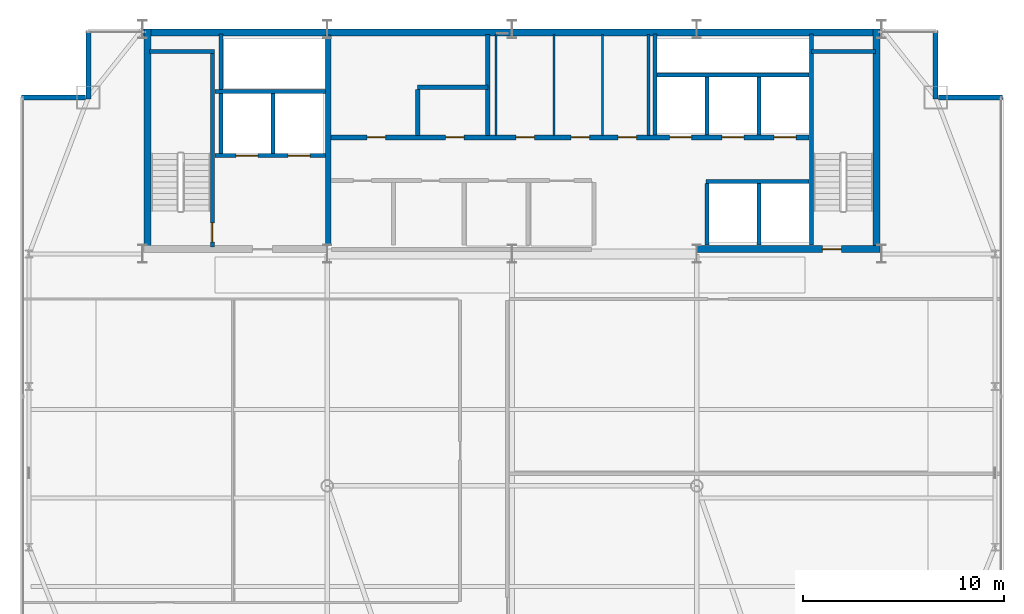
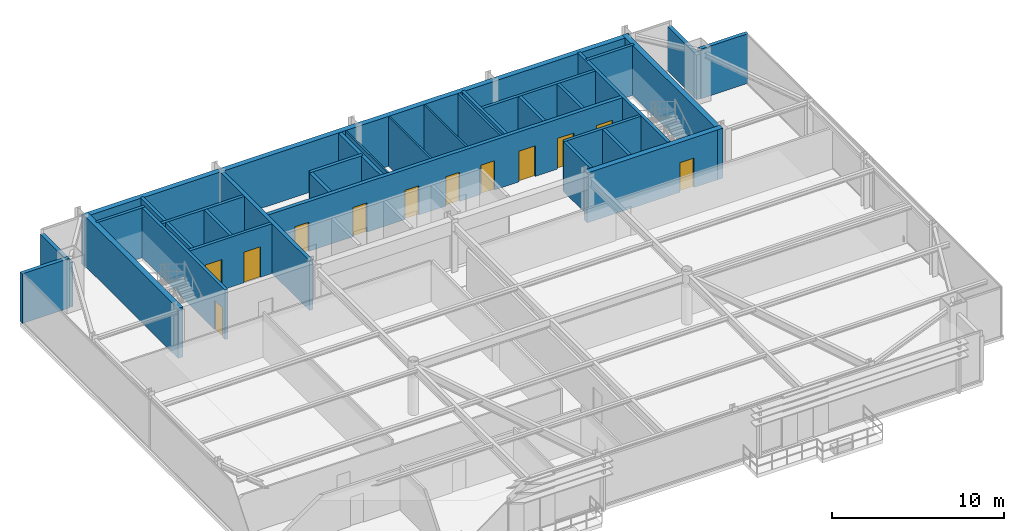
# One storey, part 27 of 30: 32 walls, 12 doors, 12 openings.
"""IFC4 building model written with IfcOpenShell, lengths in metres."""

import ifcopenshell
import ifcopenshell.guid

model = None  # the IFC model being written
_history = None  # IfcOwnerHistory: only IFC2X3 demands one
_inside = {}  # id of a spatial element -> (the spatial element, [elements in it])
_under = {}  # id of a project, library or spatial element -> (it, [spatial elements below it])
_declared = {}  # id of a project -> (the project, [libraries it declares])
_typed = {}  # id of a type object -> (the type object, [elements of that type])
_made_of = {}  # id of a material, layer set ... -> (it, [elements and type objects made of it])


def new_model(schema):
    """Start an empty IFC model of exactly this schema.

    Asked for "IFC4X3", IfcOpenShell would pick the latest addendum, in which some entities
    have other attributes; the version numbers below select the first issue.
    IFC2X3 requires an IfcOwnerHistory on every rooted entity: one is made here for all.
    """
    global model, _history
    if schema == "IFC4X3":
        model = ifcopenshell.file(schema_version=(4, 3, 0, 0))
    else:
        model = ifcopenshell.file(schema=schema)
    _inside.clear()
    _under.clear()
    _declared.clear()
    _typed.clear()
    _made_of.clear()
    _history = None
    if model.schema == "IFC2X3":
        org = make("IfcOrganization", Name="unknown")
        user = make(
            "IfcPersonAndOrganization",
            ThePerson=make("IfcPerson", FamilyName="unknown"),
            TheOrganization=org,
        )
        app = make(
            "IfcApplication",
            ApplicationDeveloper=org,
            Version="unknown",
            ApplicationFullName="unknown",
            ApplicationIdentifier="unknown",
        )
        _history = make(
            "IfcOwnerHistory",
            OwningUser=user,
            OwningApplication=app,
            ChangeAction="ADDED",
            CreationDate=0,
        )
    return model


def make(cls, **values):
    """One entity of the class cls with the attributes given. An attribute that is None is left unset."""
    return model.create_entity(
        cls, **{name: value for name, value in values.items() if value is not None}
    )


def rooted(cls, **values):
    """An entity with a GlobalId (a new one), such as an element, a storey or a relation."""
    return make(cls, GlobalId=ifcopenshell.guid.new(), OwnerHistory=_history, **values)


def si_unit(unit_type, name, prefix=None):
    """IfcSIUnit, for example si_unit("LENGTHUNIT", "METRE", prefix="MILLI")."""
    return make("IfcSIUnit", UnitType=unit_type, Prefix=prefix, Name=name)


def assignment(units):
    """IfcUnitAssignment: the units of a project."""
    return None if units is None else make("IfcUnitAssignment", Units=units)


def point(xyz):
    """IfcCartesianPoint."""
    return None if xyz is None else make("IfcCartesianPoint", Coordinates=xyz)


def direction(xyz):
    """IfcDirection."""
    return None if xyz is None else make("IfcDirection", DirectionRatios=xyz)


def frame(location, z_axis=None, x_axis=None):
    """IfcAxis2Placement3D, a coordinate frame: its origin and axes. An axis left out is left unset."""
    return make(
        "IfcAxis2Placement3D",
        Location=point(location),
        Axis=direction(z_axis),
        RefDirection=direction(x_axis),
    )


def frame_2d(location, x_axis=None):
    """IfcAxis2Placement2D, a coordinate frame in the plane: its origin and x axis."""
    return make(
        "IfcAxis2Placement2D", Location=point(location), RefDirection=direction(x_axis)
    )


def origin():
    """The frame at (0, 0, 0) with its axes left unset."""
    return frame((0.0, 0.0, 0.0))


def place(relative_to, where):
    """IfcLocalPlacement: puts the frame where relative to a parent placement (None: the world)."""
    return make(
        "IfcLocalPlacement", PlacementRelTo=relative_to, RelativePlacement=where
    )


def context(
    kind, dimensions, precision=None, world=None, true_north=None, identifier=None
):
    """IfcGeometricRepresentationContext, for example the 3D "Model" context."""
    return make(
        "IfcGeometricRepresentationContext",
        ContextIdentifier=identifier,
        ContextType=kind,
        CoordinateSpaceDimension=dimensions,
        Precision=precision,
        WorldCoordinateSystem=world,
        TrueNorth=true_north,
    )


def subcontext(parent, identifier, kind, view, scale=None):
    """IfcGeometricRepresentationSubContext, for example "Body" below "Model"."""
    return make(
        "IfcGeometricRepresentationSubContext",
        ContextIdentifier=identifier,
        ContextType=kind,
        ParentContext=parent,
        TargetScale=scale,
        TargetView=view,
    )


def project(units=None, contexts=None):
    """IfcProject with its units and contexts."""
    return rooted(
        "IfcProject",
        Name="project",
        RepresentationContexts=contexts,
        UnitsInContext=assignment(units),
    )


def spatial(cls, under=None, at=None, **own):
    """A site, building, storey or space (cls), placed at a placement, below another one or the project."""
    s = rooted(cls, ObjectPlacement=at, **own)
    if under is not None:
        _under.setdefault(under.id(), (under, []))[1].append(s)
    return s


def profile(cls, at=None, kind="AREA", **sizes):
    """A parametric profile (cls). Its sizes go by their IFC names, for example OverallWidth=200.0."""
    return make(cls, ProfileType=kind, Position=at, **sizes)


def rectangle(**sizes):
    """IfcRectangleProfileDef."""
    return profile("IfcRectangleProfileDef", **sizes)


def extrude(swept, where, along, depth):
    """IfcExtrudedAreaSolid: the profile swept, set in the frame where, extruded along a direction by depth."""
    return make(
        "IfcExtrudedAreaSolid",
        SweptArea=swept,
        Position=where,
        ExtrudedDirection=direction(along),
        Depth=depth,
    )


def shape(context_of_items, identifier, shape_type, items):
    """IfcShapeRepresentation: the items that make up one representation, for example the "Body"."""
    return make(
        "IfcShapeRepresentation",
        ContextOfItems=context_of_items,
        RepresentationIdentifier=identifier,
        RepresentationType=shape_type,
        Items=items,
    )


def source(mapping_origin, context_of_items, identifier, shape_type, items):
    """IfcRepresentationMap: a shape defined once, which mapped items show again and again."""
    return make(
        "IfcRepresentationMap",
        MappingOrigin=mapping_origin,
        MappedRepresentation=shape(context_of_items, identifier, shape_type, items),
    )


def transform(
    local_origin,
    x_axis=None,
    y_axis=None,
    z_axis=None,
    scale=None,
    scale2=None,
    scale3=None,
    uniform=True,
):
    """IfcCartesianTransformationOperator3D, or its non-uniform kind. x_axis, y_axis, z_axis: its Axis1, 2, 3."""
    if uniform:
        return make(
            "IfcCartesianTransformationOperator3D",
            Axis1=direction(x_axis),
            Axis2=direction(y_axis),
            LocalOrigin=point(local_origin),
            Scale=scale,
            Axis3=direction(z_axis),
        )
    return make(
        "IfcCartesianTransformationOperator3DnonUniform",
        Axis1=direction(x_axis),
        Axis2=direction(y_axis),
        LocalOrigin=point(local_origin),
        Scale=scale,
        Axis3=direction(z_axis),
        Scale2=scale2,
        Scale3=scale3,
    )


def mapped(mapping_source, mapping_target):
    """IfcMappedItem: shows the shape of a source again, moved by a transform."""
    return make(
        "IfcMappedItem", MappingSource=mapping_source, MappingTarget=mapping_target
    )


def material(Name=None, Category=None):
    """IfcMaterial."""
    return make("IfcMaterial", Name=Name, Category=Category)


def layer(
    of_material, thickness, ventilated=None, Name=None, Category=None, Priority=None
):
    """IfcMaterialLayer: one layer of a wall or slab, of a material (None: an air gap)."""
    return make(
        "IfcMaterialLayer",
        Material=of_material,
        LayerThickness=thickness,
        IsVentilated=ventilated,
        Name=Name,
        Category=Category,
        Priority=Priority,
    )


def layer_set(layers, Name=None):
    """IfcMaterialLayerSet."""
    return make("IfcMaterialLayerSet", MaterialLayers=layers, LayerSetName=Name)


def made_of(thing, what):
    """Note that an element or type object is made of a material, layer set ...; save() writes the relation."""
    if what is not None:
        _made_of.setdefault(what.id(), (what, []))[1].append(thing)
    return thing


def type_object(cls, material=None, **own):
    """A type object (cls), such as IfcWallType, which elements share."""
    return made_of(rooted(cls, **own), material)


def type_shapes(of_type, sources):
    """Give a type object the sources (RepresentationMaps) that its elements show as mapped items."""
    of_type.RepresentationMaps = sources


def element(
    cls,
    number,
    at=None,
    inside=None,
    cuts=None,
    type_object=None,
    material=None,
    context=None,
    identifier="Body",
    shape_type=None,
    held_by="IfcProductDefinitionShape",
    body=None,
    shapes=None,
    **own,
):
    """One element of the class cls, such as IfcWall. Its Tag is "e" and its number.

    at: its placement. inside: the storey or other place that contains it. cuts: it is an
    opening in that element (IfcRelVoidsElement). A single representation is given by context,
    identifier, shape_type and body (its items); several are given by shapes. held_by: the class
    of the entity that holds the representations. save() writes the other relations.
    """
    e = rooted(cls, Tag="e%d" % number, ObjectPlacement=at, **own)
    if body is not None:
        shapes = [shape(context, identifier, shape_type, body)]
    if shapes is not None:
        e.Representation = make(held_by, Representations=shapes)
    if inside is not None:
        _inside.setdefault(inside.id(), (inside, []))[1].append(e)
    if cuts is not None:
        rooted(
            "IfcRelVoidsElement", RelatingBuildingElement=cuts, RelatedOpeningElement=e
        )
    if type_object is not None:
        _typed.setdefault(type_object.id(), (type_object, []))[1].append(e)
    return made_of(e, material)


def fill(opening, filler):
    """IfcRelFillsElement: the door or window that sits in an opening."""
    return rooted(
        "IfcRelFillsElement",
        RelatingOpeningElement=opening,
        RelatedBuildingElement=filler,
    )


def aggregate(whole, parts):
    """IfcRelAggregates: a whole, such as a stair, and the parts it consists of."""
    return rooted("IfcRelAggregates", RelatingObject=whole, RelatedObjects=parts)


def save(model, path):
    """Write the relations noted so far, then the file.

    IfcRelAggregates (storeys below a building ...), IfcRelContainedInSpatialStructure (elements
    in a storey), IfcRelDefinesByType, IfcRelAssociatesMaterial and IfcRelDeclares: one each for
    every whole, place, type object, material and project.
    """
    for whole, parts in _under.values():
        aggregate(whole, parts)
    for where, things in _inside.values():
        rooted(
            "IfcRelContainedInSpatialStructure",
            RelatedElements=things,
            RelatingStructure=where,
        )
    for kind, things in _typed.values():
        rooted("IfcRelDefinesByType", RelatedObjects=things, RelatingType=kind)
    for what, things in _made_of.values():
        rooted("IfcRelAssociatesMaterial", RelatedObjects=things, RelatingMaterial=what)
    for by, libraries in _declared.values():
        rooted("IfcRelDeclares", RelatingContext=by, RelatedDefinitions=libraries)
    model.write(path)


model = new_model("IFC4")

# Units and contexts
model_context = context("Model", 3, precision=1e-05, world=origin(), true_north=direction((0.0, 1.0)))
body_context = subcontext(model_context, "Body", "Model", "MODEL_VIEW")
ifc_project = project(units=[si_unit("LENGTHUNIT", "METRE"), si_unit("AREAUNIT", "SQUARE_METRE"), si_unit("VOLUMEUNIT", "CUBIC_METRE"), si_unit("PLANEANGLEUNIT", "RADIAN"), si_unit("MASSUNIT", "GRAM", prefix="KILO")], contexts=[model_context])

# Site, building, storey
site_placement = place(None, origin())
site = spatial("IfcSite", under=ifc_project, at=site_placement, CompositionType="ELEMENT")
building_placement = place(site_placement, origin())
building = spatial("IfcBuilding", under=site, at=building_placement, Name="Varnel Quay Broadcast Tower", CompositionType="ELEMENT")
storey_placement = place(building_placement, frame((0.0, 0.0, 222.60009765625)))
storey = spatial("IfcBuildingStorey", under=building, at=storey_placement, Name="L55", CompositionType="ELEMENT", Elevation=222.60009765625)

# Wall, opening, door
ifc_material_1 = material(Name="Concrete CSA A23.3 C50/60", Category="concrete")
ifc_layer_1 = layer(ifc_material_1, 0.199951171875, Name="Concrete CSA A23.3 C50/60")
ifc_layer_set_1 = layer_set([ifc_layer_1], Name="Concrete CSA A23.3 C50/60")
wall_type_1 = type_object("IfcWallType", Name="Wall_CoreShaftShear200", PredefinedType="SHEAR", material=ifc_layer_set_1)
wall_1_placement = place(storey_placement, frame((19.080078125, 35.949951171875, 0.0), z_axis=(0.0, 0.0, 1.0), x_axis=(0.0, 1.0, 0.0)))
wall_1 = element("IfcWall", 1, at=wall_1_placement, inside=storey, type_object=wall_type_1, Name="L55 Stair 1 East Structural Wall", PredefinedType="SHEAR", context=body_context, shape_type="SweptSolid", body=[
    extrude(rectangle(XDim=9.650146484375, YDim=0.199951171875, at=frame_2d((4.8251953125, 0.0))), origin(), (0.0, 0.0, 1.0), 3.5498046875),
])
opening_1_placement = place(wall_1_placement, frame((0.25, 0.0, 0.0)))
opening_1 = element("IfcOpeningElement", 2, at=opening_1_placement, cuts=wall_1, Name="Opening D-L55-S1", PredefinedType="OPENING", context=body_context, shape_type="SweptSolid", body=[
    extrude(rectangle(XDim=0.949951171875, YDim=2.10009765625, at=frame_2d((0.47509765625, 1.050048828125))), frame((0.0, 0.10986328125, 0.0), z_axis=(0.0, -1.0, 0.0), x_axis=(1.0, 0.0, 0.0)), (0.0, 0.0, 1.0), 0.219970703125),
])
ifc_material_2 = material(Name="Insulated Fire-Rated Hollow Steel Door", Category="steel")
door_type_1 = type_object("IfcDoorType", Name="Door_FireStair950", OperationType="NOTDEFINED", PredefinedType="DOOR", material=ifc_material_2)
shared_shape_1 = source(origin(), body_context, "Body", "SweptSolid", [
    extrude(rectangle(XDim=0.949951171875, YDim=2.10009765625, at=frame_2d((0.47509765625, 1.050048828125))), frame((0.0, 0.02490234375, 0.0), z_axis=(0.0, -1.0, 0.0), x_axis=(1.0, 0.0, 0.0)), (0.0, 0.0, 1.0), 0.050048828125),
])
type_shapes(door_type_1, [shared_shape_1])
door_1_placement = place(opening_1_placement, origin())
door_1 = element("IfcDoor", 3, at=door_1_placement, inside=storey, type_object=door_type_1, Name="L55 Stair 1 Fire Door", OperationType="SINGLE_SWING_LEFT", OverallHeight=2.10009765625, OverallWidth=0.949951171875, PredefinedType="DOOR", context=body_context, shape_type="MappedRepresentation", body=[
    mapped(shared_shape_1, transform((0.0, 0.0, 0.0), x_axis=(1.0, 0.0, 0.0), y_axis=(0.0, 1.0, 0.0), z_axis=(0.0, 0.0, 1.0), scale=1.0)),
])
fill(opening_1, door_1)

# Wall
wall_2_placement = place(storey_placement, frame((15.949951171875, 45.679931640625, 0.0), z_axis=(0.0, 0.0, 1.0), x_axis=(1.0, 0.0, 0.0)))
element("IfcWall", 4, at=wall_2_placement, inside=storey, type_object=wall_type_1, Name="L55 Stair 1 North Structural Wall", PredefinedType="SHEAR", context=body_context, shape_type="SweptSolid", body=[
    extrude(rectangle(XDim=3.22998046875, YDim=0.199951171875, at=frame_2d((1.614990234375, 0.0))), origin(), (0.0, 0.0, 1.0), 3.5498046875),
])

# Wall, openings, doors
wall_3_placement = place(storey_placement, frame((19.199951171875, 40.5, 0.0), z_axis=(0.0, 0.0, 1.0), x_axis=(1.0, 0.0, 0.0)))
wall_3 = element("IfcWall", 5, at=wall_3_placement, inside=storey, type_object=wall_type_1, Name="L55 Firefighter Lift Shaft Front Wall", PredefinedType="SHEAR", context=body_context, shape_type="SweptSolid", body=[
    extrude(rectangle(XDim=5.52001953125, YDim=0.199951171875, at=frame_2d((2.760009765625, 0.0))), origin(), (0.0, 0.0, 1.0), 3.5498046875),
])
opening_2_placement = place(wall_3_placement, frame((1.050048828125, 0.0, 0.0)))
opening_2 = element("IfcOpeningElement", 6, at=opening_2_placement, cuts=wall_3, Name="Opening LD-L55-FE1", PredefinedType="OPENING", context=body_context, shape_type="SweptSolid", body=[
    extrude(rectangle(XDim=1.10009765625, YDim=2.179931640625, at=frame_2d((0.550048828125, 1.08984375))), frame((0.0, 0.10986328125, 0.0), z_axis=(0.0, -1.0, 0.0), x_axis=(1.0, 0.0, 0.0)), (0.0, 0.0, 1.0), 0.219970703125),
])
opening_3_placement = place(wall_3_placement, frame((3.64990234375, 0.0, 0.0)))
opening_3 = element("IfcOpeningElement", 7, at=opening_3_placement, cuts=wall_3, Name="Opening LD-L55-FE2", PredefinedType="OPENING", context=body_context, shape_type="SweptSolid", body=[
    extrude(rectangle(XDim=1.10009765625, YDim=2.179931640625, at=frame_2d((0.550048828125, 1.08984375))), frame((0.0, 0.10986328125, 0.0), z_axis=(0.0, -1.0, 0.0), x_axis=(1.0, 0.0, 0.0)), (0.0, 0.0, 1.0), 0.219970703125),
])
ifc_material_3 = material(Name="Brushed Bronze-Stainless Lift Car & Sliding Doors", Category="steel")
door_type_2 = type_object("IfcDoorType", Name="Door_LiftLanding1100", OperationType="SLIDING_TO_LEFT", PredefinedType="DOOR", material=ifc_material_3)
shared_shape_2 = source(origin(), body_context, "Body", "SweptSolid", [
    extrude(rectangle(XDim=1.10009765625, YDim=2.179931640625, at=frame_2d((0.550048828125, 1.08984375))), frame((0.0, 0.02490234375, 0.0), z_axis=(0.0, -1.0, 0.0), x_axis=(1.0, 0.0, 0.0)), (0.0, 0.0, 1.0), 0.050048828125),
])
type_shapes(door_type_2, [shared_shape_2])
door_2_placement = place(opening_2_placement, frame((1.10009765625, 0.0, 0.0), z_axis=(0.0, 0.0, 1.0), x_axis=(-1.0, 0.0, 0.0)))
door_2 = element("IfcDoor", 8, at=door_2_placement, inside=storey, type_object=door_type_2, Name="L55 Firefighter Lift FE-01 Landing Door", OperationType="SLIDING_TO_LEFT", OverallHeight=2.179931640625, OverallWidth=1.10009765625, PredefinedType="DOOR", context=body_context, shape_type="MappedRepresentation", body=[
    mapped(shared_shape_2, transform((0.0, 0.0, 0.0), x_axis=(1.0, 0.0, 0.0), y_axis=(0.0, 1.0, 0.0), z_axis=(0.0, 0.0, 1.0), scale=1.0)),
])
fill(opening_2, door_2)
door_3_placement = place(opening_3_placement, frame((1.10009765625, 0.0, 0.0), z_axis=(0.0, 0.0, 1.0), x_axis=(-1.0, 0.0, 0.0)))
door_3 = element("IfcDoor", 9, at=door_3_placement, inside=storey, type_object=door_type_2, Name="L55 Firefighter Lift FE-02 Landing Door", OperationType="SLIDING_TO_RIGHT", OverallHeight=2.179931640625, OverallWidth=1.10009765625, PredefinedType="DOOR", context=body_context, shape_type="MappedRepresentation", body=[
    mapped(shared_shape_2, transform((0.0, 0.0, 0.0), x_axis=(1.0, 0.0, 0.0), y_axis=(0.0, 1.0, 0.0), z_axis=(0.0, 0.0, 1.0), scale=1.0)),
])
fill(opening_3, door_3)

# Walls
wall_4_placement = place(storey_placement, frame((19.199951171875, 43.699951171875, 0.0), z_axis=(0.0, 0.0, 1.0), x_axis=(1.0, 0.0, 0.0)))
element("IfcWall", 10, at=wall_4_placement, inside=storey, type_object=wall_type_1, Name="L55 Firefighter Lift Shaft Rear Wall", PredefinedType="SHEAR", context=body_context, shape_type="SweptSolid", body=[
    extrude(rectangle(XDim=5.52001953125, YDim=0.199951171875, at=frame_2d((2.760009765625, 0.0))), origin(), (0.0, 0.0, 1.0), 3.5498046875),
])
wall_5_placement = place(storey_placement, frame((22.10009765625, 40.60009765625, 0.0), z_axis=(0.0, 0.0, 1.0), x_axis=(0.0, 1.0, 0.0)))
element("IfcWall", 11, at=wall_5_placement, inside=storey, type_object=wall_type_1, Name="L55 Firefighter Lift Shaft Divider", PredefinedType="SHEAR", context=body_context, shape_type="SweptSolid", body=[
    extrude(rectangle(XDim=3.0, YDim=0.199951171875, at=frame_2d((1.5, 0.0))), origin(), (0.0, 0.0, 1.0), 3.5498046875),
])
wall_6_placement = place(storey_placement, frame((19.5, 40.60009765625, 0.0), z_axis=(0.0, 0.0, 1.0), x_axis=(0.0, 1.0, 0.0)))
element("IfcWall", 12, at=wall_6_placement, inside=storey, type_object=wall_type_1, Name="L55 Firefighter Lift Shaft West Wall", PredefinedType="SHEAR", context=body_context, shape_type="SweptSolid", body=[
    extrude(rectangle(XDim=5.949951171875, YDim=0.199951171875, at=frame_2d((2.97509765625, 0.0))), origin(), (0.0, 0.0, 1.0), 3.5498046875),
])
wall_7_placement = place(storey_placement, frame((48.919921875, 36.050048828125, 0.0), z_axis=(0.0, 0.0, 1.0), x_axis=(0.0, 1.0, 0.0)))
element("IfcWall", 13, at=wall_7_placement, inside=storey, type_object=wall_type_1, Name="L55 Stair 2 West Structural Wall", PredefinedType="SHEAR", context=body_context, shape_type="SweptSolid", body=[
    extrude(rectangle(XDim=10.5, YDim=0.199951171875, at=frame_2d((5.25, 0.0))), origin(), (0.0, 0.0, 1.0), 3.5498046875),
])
wall_8_placement = place(storey_placement, frame((48.919921875, 45.679931640625, 0.0), z_axis=(0.0, 0.0, 1.0), x_axis=(1.0, 0.0, 0.0)))
element("IfcWall", 14, at=wall_8_placement, inside=storey, type_object=wall_type_1, Name="L55 Stair 2 North Structural Wall", PredefinedType="SHEAR", context=body_context, shape_type="SweptSolid", body=[
    extrude(rectangle(XDim=3.18017578125, YDim=0.199951171875, at=frame_2d((1.590087890625, 0.0))), origin(), (0.0, 0.0, 1.0), 3.5498046875),
])
wall_9_placement = place(storey_placement, frame((41.219970703125, 44.5, 0.0), z_axis=(0.0, 0.0, 1.0), x_axis=(1.0, 0.0, 0.0)))
element("IfcWall", 15, at=wall_9_placement, inside=storey, type_object=wall_type_1, Name="L55 High-Rise Lift Shaft Rear Wall", PredefinedType="SHEAR", context=body_context, shape_type="SweptSolid", body=[
    extrude(rectangle(XDim=7.580078125, YDim=0.199951171875, at=frame_2d((3.7900390625, 0.0))), origin(), (0.0, 0.0, 1.0), 3.5498046875),
])
wall_10_placement = place(storey_placement, frame((41.1201171875, 41.530029296875, 0.0), z_axis=(0.0, 0.0, 1.0), x_axis=(0.0, 1.0, 0.0)))
element("IfcWall", 16, at=wall_10_placement, inside=storey, type_object=wall_type_1, Name="L55 High-Rise Lift Shaft Divider 1", PredefinedType="SHEAR", context=body_context, shape_type="SweptSolid", body=[
    extrude(rectangle(XDim=5.02001953125, YDim=0.199951171875, at=frame_2d((2.510009765625, 0.0))), origin(), (0.0, 0.0, 1.0), 3.5498046875),
])
for number, where, z_axis, x_axis, name in (
    (17, (43.699951171875, 41.530029296875, 0.0), (0.0, 0.0, 1.0), (0.0, 1.0, 0.0), "L55 High-Rise Lift Shaft Divider 2"),
    (18, (46.300048828125, 41.530029296875, 0.0), (0.0, 0.0, 1.0), (0.0, 1.0, 0.0), "L55 High-Rise Lift Shaft Divider 3"),
):
    element("IfcWall", number, at=place(storey_placement, frame(where, z_axis=z_axis, x_axis=x_axis)), inside=storey, type_object=wall_type_1, Name=name, PredefinedType="SHEAR", context=body_context, shape_type="SweptSolid", body=[
        extrude(rectangle(XDim=2.869873046875, YDim=0.199951171875, at=frame_2d((1.43505859375, 0.0))), origin(), (0.0, 0.0, 1.0), 3.5498046875),
    ])
for number, where, z_axis, x_axis, name in (
    (19, (43.699951171875, 36.050048828125, 0.0), (0.0, 0.0, 1.0), (0.0, 1.0, 0.0), "L55 Express Lift Shaft West Wall"),
    (20, (46.300048828125, 36.050048828125, 0.0), (0.0, 0.0, 1.0), (0.0, 1.0, 0.0), "L55 Express Lift Shaft Divider"),
):
    element("IfcWall", number, at=place(storey_placement, frame(where, z_axis=z_axis, x_axis=x_axis)), inside=storey, type_object=wall_type_1, Name=name, PredefinedType="SHEAR", context=body_context, shape_type="SweptSolid", body=[
        extrude(rectangle(XDim=3.050048828125, YDim=0.199951171875, at=frame_2d((1.52490234375, 0.0))), origin(), (0.0, 0.0, 1.0), 3.5498046875),
    ])
wall_11_placement = place(storey_placement, frame((43.64990234375, 39.199951171875, 0.0), z_axis=(0.0, 0.0, 1.0), x_axis=(1.0, 0.0, 0.0)))
element("IfcWall", 21, at=wall_11_placement, inside=storey, type_object=wall_type_1, Name="L55 Express Lift Shaft North Front Wall", PredefinedType="SHEAR", context=body_context, shape_type="SweptSolid", body=[
    extrude(rectangle(XDim=5.150146484375, YDim=0.199951171875, at=frame_2d((2.5751953125, 0.0))), origin(), (0.0, 0.0, 1.0), 3.5498046875),
])
ifc_layer_2 = layer(ifc_material_1, 0.25, Name="Concrete CSA A23.3 C50/60")
ifc_layer_set_2 = layer_set([ifc_layer_2], Name="Concrete CSA A23.3 C50/60")
wall_type_2 = type_object("IfcWallType", Name="Wall_CoreShaftShear250", PredefinedType="SHEAR", material=ifc_layer_set_2)
wall_12_placement = place(storey_placement, frame((24.85009765625, 36.050048828125, 0.0), z_axis=(0.0, 0.0, 1.0), x_axis=(0.0, 1.0, 0.0)))
element("IfcWall", 22, at=wall_12_placement, inside=storey, type_object=wall_type_2, Name="L55 Firefighting Lobby East Structural Wall", PredefinedType="SHEAR", context=body_context, shape_type="SweptSolid", body=[
    extrude(rectangle(XDim=10.449951171875, YDim=0.25, at=frame_2d((5.22509765625, 0.0))), origin(), (0.0, 0.0, 1.0), 3.5498046875),
])

# Wall, openings, doors
wall_13_placement = place(storey_placement, frame((24.97998046875, 41.39990234375, 0.0), z_axis=(0.0, 0.0, 1.0), x_axis=(1.0, 0.0, 0.0)))
wall_13 = element("IfcWall", 23, at=wall_13_placement, inside=storey, type_object=wall_type_2, Name="L55 North Lift Bank & Reclaimed Suite Wall", PredefinedType="SHEAR", context=body_context, shape_type="SweptSolid", body=[
    extrude(rectangle(XDim=23.820068359375, YDim=0.25, at=frame_2d((11.91015625, 0.0))), origin(), (0.0, 0.0, 1.0), 3.5498046875),
])
opening_4_placement = place(wall_13_placement, frame((16.8701171875, 0.0, 0.0)))
opening_4 = element("IfcOpeningElement", 24, at=opening_4_placement, cuts=wall_13, Name="Opening LD-L55-PH-01", PredefinedType="OPENING", context=body_context, shape_type="SweptSolid", body=[
    extrude(rectangle(XDim=1.10009765625, YDim=2.179931640625, at=frame_2d((0.550048828125, 1.08984375))), frame((0.0, 0.135009765625, 0.0), z_axis=(0.0, -1.0, 0.0), x_axis=(1.0, 0.0, 0.0)), (0.0, 0.0, 1.0), 0.27001953125),
])
opening_5_placement = place(wall_13_placement, frame((19.469970703125, 0.0, 0.0)))
opening_5 = element("IfcOpeningElement", 25, at=opening_5_placement, cuts=wall_13, Name="Opening LD-L55-PH-02", PredefinedType="OPENING", context=body_context, shape_type="SweptSolid", body=[
    extrude(rectangle(XDim=1.10009765625, YDim=2.179931640625, at=frame_2d((0.550048828125, 1.08984375))), frame((0.0, 0.135009765625, 0.0), z_axis=(0.0, -1.0, 0.0), x_axis=(1.0, 0.0, 0.0)), (0.0, 0.0, 1.0), 0.27001953125),
])
opening_6_placement = place(wall_13_placement, frame((22.070068359375, 0.0, 0.0)))
opening_6 = element("IfcOpeningElement", 26, at=opening_6_placement, cuts=wall_13, Name="Opening LD-L55-PH-03", PredefinedType="OPENING", context=body_context, shape_type="SweptSolid", body=[
    extrude(rectangle(XDim=1.10009765625, YDim=2.179931640625, at=frame_2d((0.550048828125, 1.08984375))), frame((0.0, 0.135009765625, 0.0), z_axis=(0.0, -1.0, 0.0), x_axis=(1.0, 0.0, 0.0)), (0.0, 0.0, 1.0), 0.27001953125),
])
opening_7_placement = place(wall_13_placement, frame((1.81005859375, 0.0, 0.0)))
opening_7 = element("IfcOpeningElement", 27, at=opening_7_placement, cuts=wall_13, Name="Opening D-L55-RECA1", PredefinedType="OPENING", context=body_context, shape_type="SweptSolid", body=[
    extrude(rectangle(XDim=0.919921875, YDim=2.080078125, at=frame_2d((0.4599609375, 1.0400390625))), frame((0.0, 0.135009765625, 0.0), z_axis=(0.0, -1.0, 0.0), x_axis=(1.0, 0.0, 0.0)), (0.0, 0.0, 1.0), 0.27001953125),
])
opening_8_placement = place(wall_13_placement, frame((5.7099609375, 0.0, 0.0)))
opening_8 = element("IfcOpeningElement", 28, at=opening_8_placement, cuts=wall_13, Name="Opening D-L55-RECA2", PredefinedType="OPENING", context=body_context, shape_type="SweptSolid", body=[
    extrude(rectangle(XDim=0.919921875, YDim=2.080078125, at=frame_2d((0.4599609375, 1.0400390625))), frame((0.0, 0.135009765625, 0.0), z_axis=(0.0, -1.0, 0.0), x_axis=(1.0, 0.0, 0.0)), (0.0, 0.0, 1.0), 0.27001953125),
])
opening_9_placement = place(wall_13_placement, frame((9.2099609375, 0.0, 0.0)))
opening_9 = element("IfcOpeningElement", 29, at=opening_9_placement, cuts=wall_13, Name="Opening D-L55-RECB1", PredefinedType="OPENING", context=body_context, shape_type="SweptSolid", body=[
    extrude(rectangle(XDim=0.919921875, YDim=2.080078125, at=frame_2d((0.4599609375, 1.0400390625))), frame((0.0, 0.135009765625, 0.0), z_axis=(0.0, -1.0, 0.0), x_axis=(1.0, 0.0, 0.0)), (0.0, 0.0, 1.0), 0.27001953125),
])
opening_10_placement = place(wall_13_placement, frame((11.9599609375, 0.0, 0.0)))
opening_10 = element("IfcOpeningElement", 30, at=opening_10_placement, cuts=wall_13, Name="Opening D-L55-RECB2", PredefinedType="OPENING", context=body_context, shape_type="SweptSolid", body=[
    extrude(rectangle(XDim=0.919921875, YDim=2.080078125, at=frame_2d((0.4599609375, 1.0400390625))), frame((0.0, 0.135009765625, 0.0), z_axis=(0.0, -1.0, 0.0), x_axis=(1.0, 0.0, 0.0)), (0.0, 0.0, 1.0), 0.27001953125),
])
opening_11_placement = place(wall_13_placement, frame((14.31005859375, 0.0, 0.0)))
opening_11 = element("IfcOpeningElement", 31, at=opening_11_placement, cuts=wall_13, Name="Opening D-L55-RECB3", PredefinedType="OPENING", context=body_context, shape_type="SweptSolid", body=[
    extrude(rectangle(XDim=0.919921875, YDim=2.080078125, at=frame_2d((0.4599609375, 1.0400390625))), frame((0.0, 0.135009765625, 0.0), z_axis=(0.0, -1.0, 0.0), x_axis=(1.0, 0.0, 0.0)), (0.0, 0.0, 1.0), 0.27001953125),
])
door_4_placement = place(opening_4_placement, frame((1.10009765625, 0.0, 0.0), z_axis=(0.0, 0.0, 1.0), x_axis=(-1.0, 0.0, 0.0)))
door_4 = element("IfcDoor", 32, at=door_4_placement, inside=storey, type_object=door_type_2, Name="L55 Lift PH-01 Landing Door", OperationType="SLIDING_TO_LEFT", OverallHeight=2.179931640625, OverallWidth=1.10009765625, PredefinedType="DOOR", context=body_context, shape_type="MappedRepresentation", body=[
    mapped(shared_shape_2, transform((0.0, 0.0, 0.0), x_axis=(1.0, 0.0, 0.0), y_axis=(0.0, 1.0, 0.0), z_axis=(0.0, 0.0, 1.0), scale=1.0)),
])
fill(opening_4, door_4)
door_5_placement = place(opening_5_placement, frame((1.10009765625, 0.0, 0.0), z_axis=(0.0, 0.0, 1.0), x_axis=(-1.0, 0.0, 0.0)))
door_5 = element("IfcDoor", 33, at=door_5_placement, inside=storey, type_object=door_type_2, Name="L55 Lift PH-02 Landing Door", OperationType="SLIDING_TO_LEFT", OverallHeight=2.179931640625, OverallWidth=1.10009765625, PredefinedType="DOOR", context=body_context, shape_type="MappedRepresentation", body=[
    mapped(shared_shape_2, transform((0.0, 0.0, 0.0), x_axis=(1.0, 0.0, 0.0), y_axis=(0.0, 1.0, 0.0), z_axis=(0.0, 0.0, 1.0), scale=1.0)),
])
fill(opening_5, door_5)
door_6_placement = place(opening_6_placement, frame((1.10009765625, 0.0, 0.0), z_axis=(0.0, 0.0, 1.0), x_axis=(-1.0, 0.0, 0.0)))
door_6 = element("IfcDoor", 34, at=door_6_placement, inside=storey, type_object=door_type_2, Name="L55 Lift PH-03 Landing Door", OperationType="SLIDING_TO_LEFT", OverallHeight=2.179931640625, OverallWidth=1.10009765625, PredefinedType="DOOR", context=body_context, shape_type="MappedRepresentation", body=[
    mapped(shared_shape_2, transform((0.0, 0.0, 0.0), x_axis=(1.0, 0.0, 0.0), y_axis=(0.0, 1.0, 0.0), z_axis=(0.0, 0.0, 1.0), scale=1.0)),
])
fill(opening_6, door_6)
ifc_material_4 = material(Name="Solid-Core Fire-Rated Acoustic Oak Veneer Door", Category="wood")
door_type_3 = type_object("IfcDoorType", Name="Door_Office920", OperationType="NOTDEFINED", PredefinedType="DOOR", material=ifc_material_4)
shared_shape_3 = source(origin(), body_context, "Body", "SweptSolid", [
    extrude(rectangle(XDim=0.919921875, YDim=2.080078125, at=frame_2d((0.4599609375, 1.0400390625))), frame((0.0, 0.02490234375, 0.0), z_axis=(0.0, -1.0, 0.0), x_axis=(1.0, 0.0, 0.0)), (0.0, 0.0, 1.0), 0.050048828125),
])
type_shapes(door_type_3, [shared_shape_3])
door_7_placement = place(opening_7_placement, origin())
door_7 = element("IfcDoor", 35, at=door_7_placement, inside=storey, type_object=door_type_3, Name="L55 Signal Routing Suite Door", OperationType="SINGLE_SWING_RIGHT", OverallHeight=2.080078125, OverallWidth=0.919921875, PredefinedType="DOOR", context=body_context, shape_type="MappedRepresentation", body=[
    mapped(shared_shape_3, transform((0.0, 0.0, 0.0), x_axis=(1.0, 0.0, 0.0), y_axis=(0.0, 1.0, 0.0), z_axis=(0.0, 0.0, 1.0), scale=1.0)),
])
fill(opening_7, door_7)
door_8_placement = place(opening_8_placement, origin())
door_8 = element("IfcDoor", 36, at=door_8_placement, inside=storey, type_object=door_type_3, Name="L55 Archive Media Store Door", OperationType="SINGLE_SWING_LEFT", OverallHeight=2.080078125, OverallWidth=0.919921875, PredefinedType="DOOR", context=body_context, shape_type="MappedRepresentation", body=[
    mapped(shared_shape_3, transform((0.0, 0.0, 0.0), x_axis=(1.0, 0.0, 0.0), y_axis=(0.0, 1.0, 0.0), z_axis=(0.0, 0.0, 1.0), scale=1.0)),
])
fill(opening_8, door_8)
door_9_placement = place(opening_9_placement, origin())
door_9 = element("IfcDoor", 37, at=door_9_placement, inside=storey, type_object=door_type_3, Name="L55 Audio Patch Closet Door", OperationType="SINGLE_SWING_RIGHT", OverallHeight=2.080078125, OverallWidth=0.919921875, PredefinedType="DOOR", context=body_context, shape_type="MappedRepresentation", body=[
    mapped(shared_shape_3, transform((0.0, 0.0, 0.0), x_axis=(1.0, 0.0, 0.0), y_axis=(0.0, 1.0, 0.0), z_axis=(0.0, 0.0, 1.0), scale=1.0)),
])
fill(opening_9, door_9)
door_10_placement = place(opening_10_placement, origin())
door_10 = element("IfcDoor", 38, at=door_10_placement, inside=storey, type_object=door_type_3, Name="L55 Bureau Reference Archive Door", OperationType="SINGLE_SWING_LEFT", OverallHeight=2.080078125, OverallWidth=0.919921875, PredefinedType="DOOR", context=body_context, shape_type="MappedRepresentation", body=[
    mapped(shared_shape_3, transform((0.0, 0.0, 0.0), x_axis=(1.0, 0.0, 0.0), y_axis=(0.0, 1.0, 0.0), z_axis=(0.0, 0.0, 1.0), scale=1.0)),
])
fill(opening_10, door_10)
door_11_placement = place(opening_11_placement, origin())
door_11 = element("IfcDoor", 39, at=door_11_placement, inside=storey, type_object=door_type_3, Name="L55 Crew Espresso Niche Door", OperationType="SINGLE_SWING_RIGHT", OverallHeight=2.080078125, OverallWidth=0.919921875, PredefinedType="DOOR", context=body_context, shape_type="MappedRepresentation", body=[
    mapped(shared_shape_3, transform((0.0, 0.0, 0.0), x_axis=(1.0, 0.0, 0.0), y_axis=(0.0, 1.0, 0.0), z_axis=(0.0, 0.0, 1.0), scale=1.0)),
])
fill(opening_11, door_11)

# Walls
ifc_layer_3 = layer(ifc_material_1, 0.35009765625, Name="Concrete CSA A23.3 C50/60")
ifc_layer_set_3 = layer_set([ifc_layer_3], Name="Concrete CSA A23.3 C50/60")
wall_type_3 = type_object("IfcWallType", Name="Wall_CoreShearExt350", PredefinedType="SHEAR", material=ifc_layer_set_3)
wall_14_placement = place(storey_placement, frame((15.60009765625, 46.625, 0.0), z_axis=(0.0, 0.0, 1.0), x_axis=(1.0, 0.0, 0.0)))
element("IfcWall", 40, at=wall_14_placement, inside=storey, type_object=wall_type_3, Name="L55 North Core Shear Wall", PredefinedType="SHEAR", context=body_context, shape_type="SweptSolid", body=[
    extrude(rectangle(XDim=36.7998046875, YDim=0.35009765625, at=frame_2d((18.39990234375, 0.0))), origin(), (0.0, 0.0, 1.0), 3.5498046875),
])
ifc_layer_4 = layer(ifc_material_1, 0.35009765625, Name="Concrete CSA A23.3 C50/60")
ifc_layer_set_4 = layer_set([ifc_layer_4], Name="Concrete CSA A23.3 C50/60")
wall_type_4 = type_object("IfcWallType", Name="Wall_CoreShearInt350", PredefinedType="SHEAR", material=ifc_layer_set_4)
for number, where, z_axis, x_axis, name in (
    (41, (15.844970703125, 35.669921875, 0.0), (0.0, 0.0, 1.0), (0.0, 1.0, 0.0), "L55 West Core Shear Wall"),
    (42, (52.155029296875, 35.669921875, 0.0), (0.0, 0.0, 1.0), (0.0, 1.0, 0.0), "L55 East Core Shear Wall"),
):
    element("IfcWall", number, at=place(storey_placement, frame(where, z_axis=z_axis, x_axis=x_axis)), inside=storey, type_object=wall_type_4, Name=name, PredefinedType="SHEAR", context=body_context, shape_type="SweptSolid", body=[
        extrude(rectangle(XDim=11.130126953125, YDim=0.35009765625, at=frame_2d((5.56494140625, 0.0))), origin(), (0.0, 0.0, 1.0), 3.5498046875),
    ])

# Wall, opening, door
wall_15_placement = place(storey_placement, frame((43.199951171875, 35.844970703125, 0.0), z_axis=(0.0, 0.0, 1.0), x_axis=(1.0, 0.0, 0.0)))
wall_15 = element("IfcWall", 43, at=wall_15_placement, inside=storey, type_object=wall_type_4, Name="L55 South-East Core Shear Wall", PredefinedType="SHEAR", context=body_context, shape_type="SweptSolid", body=[
    extrude(rectangle(XDim=9.130126953125, YDim=0.35009765625, at=frame_2d((4.56494140625, 0.0))), origin(), (0.0, 0.0, 1.0), 3.5498046875),
])
opening_12_placement = place(wall_15_placement, frame((6.25, 0.0, 0.0)))
opening_12 = element("IfcOpeningElement", 44, at=opening_12_placement, cuts=wall_15, Name="Opening D-L55-S2", PredefinedType="OPENING", context=body_context, shape_type="SweptSolid", body=[
    extrude(rectangle(XDim=0.949951171875, YDim=2.10009765625, at=frame_2d((0.47509765625, 1.050048828125))), frame((0.0, 0.18505859375, 0.0), z_axis=(0.0, -1.0, 0.0), x_axis=(1.0, 0.0, 0.0)), (0.0, 0.0, 1.0), 0.3701171875),
])
door_12_placement = place(opening_12_placement, origin())
door_12 = element("IfcDoor", 45, at=door_12_placement, inside=storey, type_object=door_type_1, Name="L55 Stair 2 Fire Door", OperationType="SINGLE_SWING_LEFT", OverallHeight=2.10009765625, OverallWidth=0.949951171875, PredefinedType="DOOR", context=body_context, shape_type="MappedRepresentation", body=[
    mapped(shared_shape_1, transform((0.0, 0.0, 0.0), x_axis=(1.0, 0.0, 0.0), y_axis=(0.0, 1.0, 0.0), z_axis=(0.0, 0.0, 1.0), scale=1.0)),
])
fill(opening_12, door_12)

# Walls
ifc_material_5 = material(Name="Precast Architectural Concrete C40/50", Category="concrete")
ifc_layer_5 = layer(ifc_material_5, 0.25, Name="Precast Architectural Concrete C40/50")
ifc_layer_set_5 = layer_set([ifc_layer_5], Name="Precast Architectural Concrete C40/50")
wall_type_5 = type_object("IfcWallType", Name="Wall_ExtTerrace250", PredefinedType="SOLIDWALL", material=ifc_layer_set_5)
wall_16_placement = place(storey_placement, frame((9.580078125, 43.39990234375, 0.0), z_axis=(0.0, 0.0, 1.0), x_axis=(1.0, 0.0, 0.0)))
element("IfcWall", 46, at=wall_16_placement, inside=storey, type_object=wall_type_5, Name="L55 Mega-Column Notch Cladding Wall NNW1", PredefinedType="SOLIDWALL", context=body_context, shape_type="SweptSolid", body=[
    extrude(rectangle(XDim=3.18994140625, YDim=0.25, at=frame_2d((1.594970703125, 0.0))), origin(), (0.0, 0.0, 1.0), 3.52978515625),
])
wall_17_placement = place(storey_placement, frame((12.89990234375, 43.320068359375, 0.0), z_axis=(0.0, 0.0, 1.0), x_axis=(0.0, 1.0, 0.0)))
element("IfcWall", 47, at=wall_17_placement, inside=storey, type_object=wall_type_5, Name="L55 Mega-Column Notch Cladding Wall NNW2", PredefinedType="SOLIDWALL", context=body_context, shape_type="SweptSolid", body=[
    extrude(rectangle(XDim=3.39990234375, YDim=0.25, at=frame_2d((1.699951171875, 0.0))), origin(), (0.0, 0.0, 1.0), 3.1708984375),
])
wall_18_placement = place(storey_placement, frame((55.22998046875, 43.39990234375, 0.0), z_axis=(0.0, 0.0, 1.0), x_axis=(1.0, 0.0, 0.0)))
element("IfcWall", 48, at=wall_18_placement, inside=storey, type_object=wall_type_5, Name="L55 Mega-Column Notch Cladding Wall NNE1", PredefinedType="SOLIDWALL", context=body_context, shape_type="SweptSolid", body=[
    extrude(rectangle(XDim=3.18994140625, YDim=0.25, at=frame_2d((1.594970703125, 0.0))), origin(), (0.0, 0.0, 1.0), 3.52978515625),
])
wall_19_placement = place(storey_placement, frame((55.10009765625, 43.320068359375, 0.0), z_axis=(0.0, 0.0, 1.0), x_axis=(0.0, 1.0, 0.0)))
element("IfcWall", 49, at=wall_19_placement, inside=storey, type_object=wall_type_5, Name="L55 Mega-Column Notch Cladding Wall NNE2", PredefinedType="SOLIDWALL", context=body_context, shape_type="SweptSolid", body=[
    extrude(rectangle(XDim=3.39990234375, YDim=0.25, at=frame_2d((1.699951171875, 0.0))), origin(), (0.0, 0.0, 1.0), 3.1708984375),
])
ifc_material_6 = material(Name="Steel-Stud Fire-Rated Acoustic Gypsum Partition Assembly", Category="steel")
ifc_layer_6 = layer(ifc_material_6, 0.10498046875, Name="Steel-Stud Fire-Rated Acoustic Gypsum Partition Assembly")
ifc_layer_set_6 = layer_set([ifc_layer_6], Name="Steel-Stud Fire-Rated Acoustic Gypsum Partition Assembly")
wall_type_6 = type_object("IfcWallType", Name="Wall_Partition105", PredefinedType="PARTITIONING", material=ifc_layer_set_6)
for number, where, z_axis, x_axis, name in (
    (50, (36.10009765625, 41.5, 0.0), (0.0, 0.0, 1.0), (0.0, 1.0, 0.0), "L55 Audio Patch Closet Partition 21"),
    (51, (33.199951171875, 41.5, 0.0), (0.0, 0.0, 1.0), (0.0, 1.0, 0.0), "L55 Audio Patch Closet Partition 22"),
    (52, (38.5, 41.5, 0.0), (0.0, 0.0, 1.0), (0.0, 1.0, 0.0), "L55 Bureau Reference Archive Partition 23"),
):
    element("IfcWall", number, at=place(storey_placement, frame(where, z_axis=z_axis, x_axis=x_axis)), inside=storey, type_object=wall_type_6, Name=name, PredefinedType="PARTITIONING", context=body_context, shape_type="SweptSolid", body=[
        extrude(rectangle(XDim=5.02001953125, YDim=0.10498046875, at=frame_2d((2.510009765625, 0.0))), origin(), (0.0, 0.0, 1.0), 3.52978515625),
    ])
ifc_layer_7 = layer(ifc_material_6, 0.14990234375, Name="Steel-Stud Fire-Rated Acoustic Gypsum Partition Assembly")
ifc_layer_set_7 = layer_set([ifc_layer_7], Name="Steel-Stud Fire-Rated Acoustic Gypsum Partition Assembly")
wall_type_7 = type_object("IfcWallType", Name="Wall_Partition150", PredefinedType="PARTITIONING", material=ifc_layer_set_7)
wall_20_placement = place(storey_placement, frame((40.800048828125, 41.5, 0.0), z_axis=(0.0, 0.0, 1.0), x_axis=(0.0, 1.0, 0.0)))
element("IfcWall", 53, at=wall_20_placement, inside=storey, type_object=wall_type_7, Name="L55 Crew Espresso Niche Partition 24", PredefinedType="PARTITIONING", context=body_context, shape_type="SweptSolid", body=[
    extrude(rectangle(XDim=5.02001953125, YDim=0.14990234375, at=frame_2d((2.510009765625, 0.0))), origin(), (0.0, 0.0, 1.0), 3.52978515625),
])
ifc_layer_8 = layer(ifc_material_6, 0.22509765625, Name="Steel-Stud Fire-Rated Acoustic Gypsum Partition Assembly")
ifc_layer_set_8 = layer_set([ifc_layer_8], Name="Steel-Stud Fire-Rated Acoustic Gypsum Partition Assembly")
wall_type_8 = type_object("IfcWallType", Name="Wall_Partition225", PredefinedType="PARTITIONING", material=ifc_layer_set_8)
wall_21_placement = place(storey_placement, frame((29.300048828125, 41.5, 0.0), z_axis=(0.0, 0.0, 1.0), x_axis=(0.0, 1.0, 0.0)))
element("IfcWall", 54, at=wall_21_placement, inside=storey, type_object=wall_type_8, Name="L55 Signal Routing Suite Partition 18", PredefinedType="PARTITIONING", context=body_context, shape_type="SweptSolid", body=[
    extrude(rectangle(XDim=2.2880859375, YDim=0.22509765625, at=frame_2d((1.14404296875, 0.0))), origin(), (0.0, 0.0, 1.0), 3.52978515625),
])
wall_22_placement = place(storey_placement, frame((29.300048828125, 43.89990234375, 0.0), z_axis=(0.0, 0.0, 1.0), x_axis=(1.0, 0.0, 0.0)))
element("IfcWall", 55, at=wall_22_placement, inside=storey, type_object=wall_type_8, Name="L55 Signal Routing Suite Partition 19", PredefinedType="PARTITIONING", context=body_context, shape_type="SweptSolid", body=[
    extrude(rectangle(XDim=3.5, YDim=0.22509765625, at=frame_2d((1.75, 0.0))), origin(), (0.0, 0.0, 1.0), 3.52978515625),
])
wall_23_placement = place(storey_placement, frame((32.800048828125, 41.5, 0.0), z_axis=(0.0, 0.0, 1.0), x_axis=(0.0, 1.0, 0.0)))
element("IfcWall", 56, at=wall_23_placement, inside=storey, type_object=wall_type_8, Name="L55 Signal Routing Suite Partition 20", PredefinedType="PARTITIONING", context=body_context, shape_type="SweptSolid", body=[
    extrude(rectangle(XDim=5.02001953125, YDim=0.22509765625, at=frame_2d((2.510009765625, 0.0))), origin(), (0.0, 0.0, 1.0), 3.52978515625),
])

save(model, "model.ifc")
